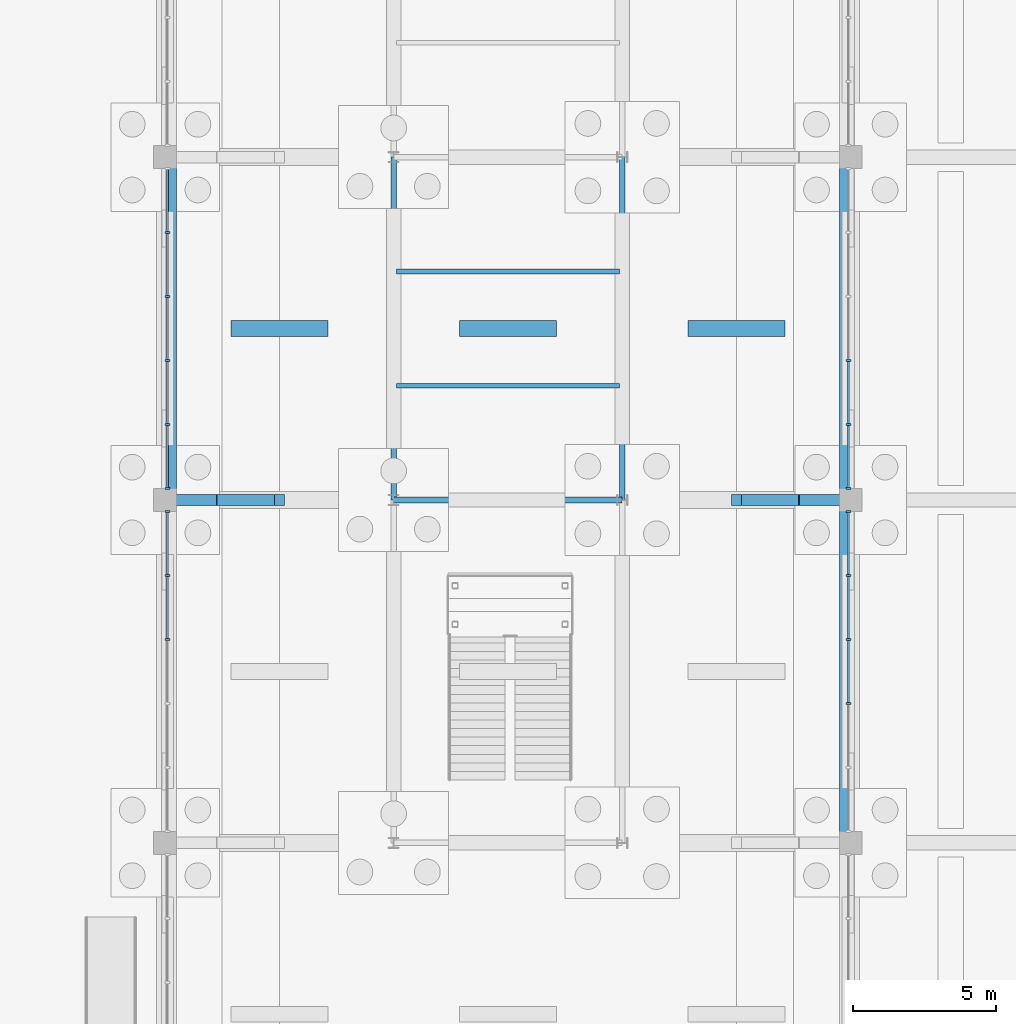
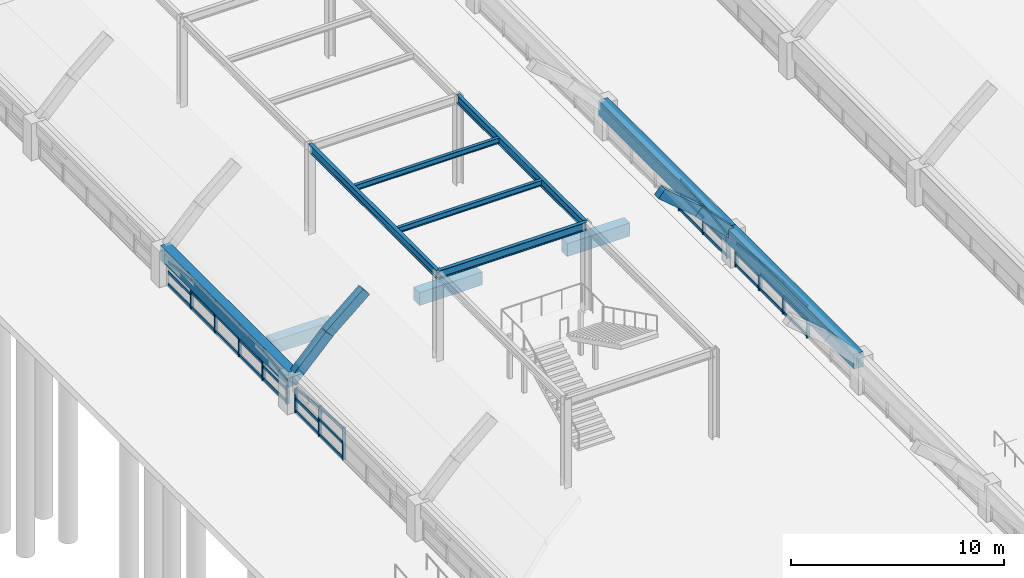
# One storey, part 43 of 129: 51 members, 15 beams, 4 elements without a shape of their own.
"""IFC4 building model written with IfcOpenShell, lengths in metres."""

from ifc_helpers import new_model, si_unit, direction, frame, origin, origin_2d, place, context, subcontext, project, spatial, rectangle, i_section, extrude, material, layer, layer_set, material_profile, profile_set, type_object, element, aggregate, save


model = new_model("IFC4")

# Units and contexts
model_context = context("Model", 3, precision=1e-05, world=origin(), true_north=direction((0.0, 1.0)))
body_context = subcontext(model_context, "Body", "Model", "MODEL_VIEW")
ifc_project = project(units=[si_unit("LENGTHUNIT", "METRE"), si_unit("AREAUNIT", "SQUARE_METRE"), si_unit("VOLUMEUNIT", "CUBIC_METRE"), si_unit("PLANEANGLEUNIT", "RADIAN"), si_unit("MASSUNIT", "GRAM", prefix="KILO")], contexts=[model_context])

# Site, building, storey
site_placement = place(None, origin())
site = spatial("IfcSite", under=ifc_project, at=site_placement, CompositionType="ELEMENT")
building_placement = place(site_placement, origin())
building = spatial("IfcBuilding", under=site, at=building_placement, Name="Sitalva Quay Ferry Terminal", CompositionType="ELEMENT")
storey_placement = place(building_placement, origin())
storey = spatial("IfcBuildingStorey", under=building, at=storey_placement, Name="L01", CompositionType="ELEMENT", Elevation=0.0)

# Beams
ifc_material_1 = material(Name="Concrete C40/50", Category="concrete")
ifc_material_profile_1 = material_profile(ifc_material_1, rectangle(XDim=0.39990234375, YDim=0.550048828125, at=origin_2d()), Name="RC400x550")
ifc_profile_set_1 = profile_set([ifc_material_profile_1], Name="Concrete C40/50")
beam_type_1 = type_object("IfcBeamType", Name="Beam_Arch_RC400x550", PredefinedType="BEAM", material=ifc_profile_set_1)
beam_1_placement = place(storey_placement, frame((8.0, 42.0, 1.594482421875), z_axis=(0.693983482825, 0.0, 0.719990920475), x_axis=(0.0, 1.0, 0.0)))
element("IfcBeam", 1, at=beam_1_placement, inside=storey, type_object=beam_type_1, Name="Vault V2 transverse arch rib 4.1", PredefinedType="BEAM", context=body_context, shape_type="SweptSolid", body=[
    extrude(rectangle(XDim=0.39990234375, YDim=0.550048828125, at=origin_2d()), origin(), (0.0, 0.0, 1.0), 2.8818359375),
])
for number, where, z_axis, x_axis, name in (
    (2, (10.0, 42.0, 3.689697265625), (0.761351968138, 0.0, 0.648338785368), (0.0, 1.0, 0.0), "Vault V2 transverse arch rib 4.2"),
    (3, (28.0, 42.0, 5.392822265625), (0.761351968138, 0.0, -0.648338785368), (0.0, 1.0, 0.0), "Vault V2 transverse arch rib 4.11"),
):
    element("IfcBeam", number, at=place(storey_placement, frame(where, z_axis=z_axis, x_axis=x_axis)), inside=storey, type_object=beam_type_1, Name=name, PredefinedType="BEAM", context=body_context, shape_type="SweptSolid", body=[
        extrude(rectangle(XDim=0.39990234375, YDim=0.550048828125, at=origin_2d()), origin(), (0.0, 0.0, 1.0), 2.626953125),
    ])
beam_2_placement = place(storey_placement, frame((30.0, 42.0, 3.66943359375), z_axis=(0.693983482825, 0.0, -0.719990920475), x_axis=(0.0, 1.0, 0.0)))
element("IfcBeam", 4, at=beam_2_placement, inside=storey, type_object=beam_type_1, Name="Vault V2 transverse arch rib 4.12", PredefinedType="BEAM", context=body_context, shape_type="SweptSolid", body=[
    extrude(rectangle(XDim=0.39990234375, YDim=0.550048828125, at=origin_2d()), origin(), (0.0, 0.0, 1.0), 2.8818359375),
])
ifc_material_2 = material(Name="Concrete C40/50", Category="concrete")
ifc_material_profile_2 = material_profile(ifc_material_2, rectangle(XDim=0.5, YDim=0.85009765625, at=origin_2d()), Name="RC500x850")
ifc_profile_set_2 = profile_set([ifc_material_profile_2], Name="Concrete C40/50")
beam_type_2 = type_object("IfcBeamType", Name="Beam_Edge_RC500x850", PredefinedType="BEAM", material=ifc_profile_set_2)
for number, where, z_axis, x_axis, name in (
    (5, (8.14990234375, 42.0, 1.675048828125), (0.0, 1.0, 0.0), (-1.0, 0.0, 0.0), "Vault V2 longitudinal springing edge beam W bay 4"),
    (6, (31.85009765625, 30.0, 1.675048828125), (0.0, 1.0, 0.0), (-1.0, 0.0, 0.0), "Vault V2 longitudinal springing edge beam E bay 3"),
    (7, (31.85009765625, 42.0, 1.675048828125), (0.0, 1.0, 0.0), (-1.0, 0.0, 0.0), "Vault V2 longitudinal springing edge beam E bay 4"),
):
    element("IfcBeam", number, at=place(storey_placement, frame(where, z_axis=z_axis, x_axis=x_axis)), inside=storey, type_object=beam_type_2, Name=name, PredefinedType="BEAM", context=body_context, shape_type="SweptSolid", body=[
        extrude(rectangle(XDim=0.5, YDim=0.85009765625, at=origin_2d()), origin(), (0.0, 0.0, 1.0), 12.0),
    ])
ifc_material_3 = material(Name="Structural Steel S355JR", Category="steel")
ifc_material_profile_3 = material_profile(ifc_material_3, i_section(OverallWidth=0.194091796875, OverallDepth=0.468994140625, WebThickness=0.0126953125, FlangeThickness=0.0205078125, FilletRadius=0.013916015625, at=origin_2d()), Name="W460x106")
ifc_profile_set_3 = profile_set([ifc_material_profile_3], Name="Structural Steel S355JR")
beam_type_3 = type_object("IfcBeamType", Name="Girder_W460x106", PredefinedType="USERDEFINED", material=ifc_profile_set_3)
beam_3_placement = place(storey_placement, frame((16.0, 42.0, 4.885498046875), z_axis=(1.0, 0.0, 0.0), x_axis=(0.0, 1.0, 0.0)))
element("IfcBeam", 8, at=beam_3_placement, inside=storey, type_object=beam_type_3, Name="L01 Primary X girder 0112", ObjectType="GIRDER", PredefinedType="USERDEFINED", context=body_context, shape_type="SweptSolid", body=[
    extrude(i_section(OverallWidth=0.194091796875, OverallDepth=0.468994140625, WebThickness=0.0126953125, FlangeThickness=0.0205078125, FilletRadius=0.013916015625, at=origin_2d()), origin(), (0.0, 0.0, 1.0), 8.0),
])
for number, where, z_axis, x_axis, name in (
    (9, (16.0, 42.0, 4.885498046875), (0.0, 1.0, 0.0), (-1.0, 0.0, 0.0), "L01 Primary Y girder 0117"),
    (10, (24.0, 42.0, 4.885498046875), (0.0, 1.0, 0.0), (-1.0, 0.0, 0.0), "L01 Primary Y girder 0121"),
):
    element("IfcBeam", number, at=place(storey_placement, frame(where, z_axis=z_axis, x_axis=x_axis)), inside=storey, type_object=beam_type_3, Name=name, ObjectType="GIRDER", PredefinedType="USERDEFINED", context=body_context, shape_type="SweptSolid", body=[
        extrude(i_section(OverallWidth=0.194091796875, OverallDepth=0.468994140625, WebThickness=0.0126953125, FlangeThickness=0.0205078125, FilletRadius=0.013916015625, at=origin_2d()), origin(), (0.0, 0.0, 1.0), 12.0),
    ])
ifc_material_4 = material(Name="Structural Steel S355JR", Category="steel")
ifc_material_profile_4 = material_profile(ifc_material_4, i_section(OverallWidth=0.166015625, OverallDepth=0.31298828125, WebThickness=0.006591796875, FlangeThickness=0.01123046875, FilletRadius=0.010986328125, at=origin_2d()), Name="W310x45")
ifc_profile_set_4 = profile_set([ifc_material_profile_4], Name="Structural Steel S355JR")
beam_type_4 = type_object("IfcBeamType", Name="Joist_W310x45", PredefinedType="JOIST", material=ifc_profile_set_4)
for number, where, z_axis, x_axis, name in (
    (11, (16.096923828125, 46.0, 4.96337890625), (1.0, 0.0, 0.0), (0.0, 1.0, 0.0), "L01 Secondary joist 0124"),
    (12, (16.096923828125, 50.0, 4.96337890625), (1.0, 0.0, 0.0), (0.0, 1.0, 0.0), "L01 Secondary joist 0125"),
):
    element("IfcBeam", number, at=place(storey_placement, frame(where, z_axis=z_axis, x_axis=x_axis)), inside=storey, type_object=beam_type_4, Name=name, PredefinedType="JOIST", context=body_context, shape_type="SweptSolid", body=[
        extrude(i_section(OverallWidth=0.166015625, OverallDepth=0.31298828125, WebThickness=0.006591796875, FlangeThickness=0.01123046875, FilletRadius=0.010986328125, at=origin_2d()), origin(), (0.0, 0.0, 1.0), 7.80615234375),
    ])

# Curtain wall, members
ifc_material_5 = material(Name="Anodised Aluminium & Low-E Glazing", Category="aluminium")
ifc_layer = layer(ifc_material_5, 0.159912109375)
ifc_layer_set = layer_set([ifc_layer], Name="Anodised Aluminium & Low-E Glazing")
curtain_wall_type = type_object("IfcCurtainWallType", Name="CW_VaultArch_Glazed", PredefinedType="USERDEFINED", material=ifc_layer_set)
curtain_wall_1_placement = place(storey_placement, origin())
curtain_wall_1 = element("IfcCurtainWall", 13, at=curtain_wall_1_placement, inside=storey, type_object=curtain_wall_type, Name="V2-W shallow-arch base glazing (CW-L01-018)", ObjectType="CURTAIN_WALL", PredefinedType="USERDEFINED")
ifc_material_6 = material(Name="Anodised Aluminium 6063-T6", Category="aluminium")
ifc_material_profile_5 = material_profile(ifc_material_6, rectangle(XDim=0.070068359375, YDim=0.181884765625, at=origin_2d()), Name="ALU70x182")
ifc_profile_set_5 = profile_set([ifc_material_profile_5], Name="Anodised Aluminium 6063-T6")
member_type_1 = type_object("IfcMemberType", Name="Mullion_Alu_65x170", PredefinedType="MULLION", material=ifc_profile_set_5)
member_1_placement = place(storey_placement, frame((8.080078125, 37.1201171875, 0.0), z_axis=(0.0, 0.0, 1.0), x_axis=(0.0, 1.0, 0.0)))
member_1 = element("IfcMember", 14, at=member_1_placement, type_object=member_type_1, Name="CW-L01-018-M3", PredefinedType="MULLION", context=body_context, shape_type="SweptSolid", body=[
    extrude(rectangle(XDim=0.070068359375, YDim=0.181884765625, at=origin_2d()), origin(), (0.0, 0.0, 1.0), 1.86083984375),
])
member_2_placement = place(storey_placement, frame((8.080078125, 39.360107421875, 0.0), z_axis=(0.0, 0.0, 1.0), x_axis=(0.0, 1.0, 0.0)))
member_2 = element("IfcMember", 15, at=member_2_placement, type_object=member_type_1, Name="CW-L01-018-M4", PredefinedType="MULLION", context=body_context, shape_type="SweptSolid", body=[
    extrude(rectangle(XDim=0.070068359375, YDim=0.181884765625, at=origin_2d()), origin(), (0.0, 0.0, 1.0), 1.707275390625),
])
member_3_placement = place(storey_placement, frame((8.080078125, 41.60009765625, 0.0), z_axis=(0.0, 0.0, 1.0), x_axis=(0.0, 1.0, 0.0)))
member_3 = element("IfcMember", 16, at=member_3_placement, type_object=member_type_1, Name="CW-L01-018-M5", PredefinedType="MULLION", context=body_context, shape_type="SweptSolid", body=[
    extrude(rectangle(XDim=0.070068359375, YDim=0.181884765625, at=origin_2d()), origin(), (0.0, 0.0, 1.0), 1.39990234375),
])

curtain_wall_2_placement = place(storey_placement, origin())
curtain_wall_2 = element("IfcCurtainWall", 17, at=curtain_wall_2_placement, inside=storey, type_object=curtain_wall_type, Name="V2-E shallow-arch base glazing (CW-L01-019)", ObjectType="CURTAIN_WALL", PredefinedType="USERDEFINED")
member_4_placement = place(storey_placement, frame((31.919921875, 34.8798828125, 0.0), z_axis=(0.0, 0.0, 1.0), x_axis=(0.0, 1.0, 0.0)))
member_4 = element("IfcMember", 18, at=member_4_placement, type_object=member_type_1, Name="CW-L01-019-M2", PredefinedType="MULLION", context=body_context, shape_type="SweptSolid", body=[
    extrude(rectangle(XDim=0.070068359375, YDim=0.181884765625, at=origin_2d()), origin(), (0.0, 0.0, 1.0), 1.86083984375),
])
member_5_placement = place(storey_placement, frame((31.919921875, 37.1201171875, 0.0), z_axis=(0.0, 0.0, 1.0), x_axis=(0.0, 1.0, 0.0)))
member_5 = element("IfcMember", 19, at=member_5_placement, type_object=member_type_1, Name="CW-L01-019-M3", PredefinedType="MULLION", context=body_context, shape_type="SweptSolid", body=[
    extrude(rectangle(XDim=0.070068359375, YDim=0.181884765625, at=origin_2d()), origin(), (0.0, 0.0, 1.0), 1.86083984375),
])
member_6_placement = place(storey_placement, frame((31.919921875, 39.360107421875, 0.0), z_axis=(0.0, 0.0, 1.0), x_axis=(0.0, 1.0, 0.0)))
member_6 = element("IfcMember", 20, at=member_6_placement, type_object=member_type_1, Name="CW-L01-019-M4", PredefinedType="MULLION", context=body_context, shape_type="SweptSolid", body=[
    extrude(rectangle(XDim=0.070068359375, YDim=0.181884765625, at=origin_2d()), origin(), (0.0, 0.0, 1.0), 1.707275390625),
])
member_7_placement = place(storey_placement, frame((31.919921875, 41.60009765625, 0.0), z_axis=(0.0, 0.0, 1.0), x_axis=(0.0, 1.0, 0.0)))
member_7 = element("IfcMember", 21, at=member_7_placement, type_object=member_type_1, Name="CW-L01-019-M5", PredefinedType="MULLION", context=body_context, shape_type="SweptSolid", body=[
    extrude(rectangle(XDim=0.070068359375, YDim=0.181884765625, at=origin_2d()), origin(), (0.0, 0.0, 1.0), 1.39990234375),
])

curtain_wall_3_placement = place(storey_placement, origin())
curtain_wall_3 = element("IfcCurtainWall", 22, at=curtain_wall_3_placement, inside=storey, type_object=curtain_wall_type, Name="V2-W shallow-arch base glazing (CW-L01-021)", ObjectType="CURTAIN_WALL", PredefinedType="USERDEFINED")
member_8_placement = place(storey_placement, frame((8.080078125, 42.39990234375, 0.0), z_axis=(0.0, 0.0, 1.0), x_axis=(0.0, 1.0, 0.0)))
member_8 = element("IfcMember", 23, at=member_8_placement, type_object=member_type_1, Name="CW-L01-021-M0", PredefinedType="MULLION", context=body_context, shape_type="SweptSolid", body=[
    extrude(rectangle(XDim=0.070068359375, YDim=0.181884765625, at=origin_2d()), origin(), (0.0, 0.0, 1.0), 1.39990234375),
])
member_9_placement = place(storey_placement, frame((8.080078125, 44.639892578125, 0.0), z_axis=(0.0, 0.0, 1.0), x_axis=(0.0, 1.0, 0.0)))
member_9 = element("IfcMember", 24, at=member_9_placement, type_object=member_type_1, Name="CW-L01-021-M1", PredefinedType="MULLION", context=body_context, shape_type="SweptSolid", body=[
    extrude(rectangle(XDim=0.070068359375, YDim=0.181884765625, at=origin_2d()), origin(), (0.0, 0.0, 1.0), 1.707275390625),
])
member_10_placement = place(storey_placement, frame((8.080078125, 46.8798828125, 0.0), z_axis=(0.0, 0.0, 1.0), x_axis=(0.0, 1.0, 0.0)))
member_10 = element("IfcMember", 25, at=member_10_placement, type_object=member_type_1, Name="CW-L01-021-M2", PredefinedType="MULLION", context=body_context, shape_type="SweptSolid", body=[
    extrude(rectangle(XDim=0.070068359375, YDim=0.181884765625, at=origin_2d()), origin(), (0.0, 0.0, 1.0), 1.86083984375),
])
member_11_placement = place(storey_placement, frame((8.080078125, 49.1201171875, 0.0), z_axis=(0.0, 0.0, 1.0), x_axis=(0.0, 1.0, 0.0)))
member_11 = element("IfcMember", 26, at=member_11_placement, type_object=member_type_1, Name="CW-L01-021-M3", PredefinedType="MULLION", context=body_context, shape_type="SweptSolid", body=[
    extrude(rectangle(XDim=0.070068359375, YDim=0.181884765625, at=origin_2d()), origin(), (0.0, 0.0, 1.0), 1.86083984375),
])
member_12_placement = place(storey_placement, frame((8.080078125, 51.360107421875, 0.0), z_axis=(0.0, 0.0, 1.0), x_axis=(0.0, 1.0, 0.0)))
member_12 = element("IfcMember", 27, at=member_12_placement, type_object=member_type_1, Name="CW-L01-021-M4", PredefinedType="MULLION", context=body_context, shape_type="SweptSolid", body=[
    extrude(rectangle(XDim=0.070068359375, YDim=0.181884765625, at=origin_2d()), origin(), (0.0, 0.0, 1.0), 1.707275390625),
])

curtain_wall_4_placement = place(storey_placement, origin())
curtain_wall_4 = element("IfcCurtainWall", 28, at=curtain_wall_4_placement, inside=storey, type_object=curtain_wall_type, Name="V2-E shallow-arch base glazing (CW-L01-022)", ObjectType="CURTAIN_WALL", PredefinedType="USERDEFINED")
member_13_placement = place(storey_placement, frame((31.919921875, 42.39990234375, 0.0), z_axis=(0.0, 0.0, 1.0), x_axis=(0.0, 1.0, 0.0)))
member_13 = element("IfcMember", 29, at=member_13_placement, type_object=member_type_1, Name="CW-L01-022-M0", PredefinedType="MULLION", context=body_context, shape_type="SweptSolid", body=[
    extrude(rectangle(XDim=0.070068359375, YDim=0.181884765625, at=origin_2d()), origin(), (0.0, 0.0, 1.0), 1.39990234375),
])
member_14_placement = place(storey_placement, frame((31.919921875, 44.639892578125, 0.0), z_axis=(0.0, 0.0, 1.0), x_axis=(0.0, 1.0, 0.0)))
member_14 = element("IfcMember", 30, at=member_14_placement, type_object=member_type_1, Name="CW-L01-022-M1", PredefinedType="MULLION", context=body_context, shape_type="SweptSolid", body=[
    extrude(rectangle(XDim=0.070068359375, YDim=0.181884765625, at=origin_2d()), origin(), (0.0, 0.0, 1.0), 1.707275390625),
])
member_15_placement = place(storey_placement, frame((31.919921875, 46.8798828125, 0.0), z_axis=(0.0, 0.0, 1.0), x_axis=(0.0, 1.0, 0.0)))
member_15 = element("IfcMember", 31, at=member_15_placement, type_object=member_type_1, Name="CW-L01-022-M2", PredefinedType="MULLION", context=body_context, shape_type="SweptSolid", body=[
    extrude(rectangle(XDim=0.070068359375, YDim=0.181884765625, at=origin_2d()), origin(), (0.0, 0.0, 1.0), 1.86083984375),
])

# Beams
ifc_material_7 = material(Name="Concrete C35/45", Category="concrete")
ifc_material_profile_6 = material_profile(ifc_material_7, rectangle(XDim=0.550048828125, YDim=0.75, at=origin_2d()), Name="RC550x750")
ifc_profile_set_6 = profile_set([ifc_material_profile_6], Name="Concrete C35/45")
beam_type_5 = type_object("IfcBeamType", Name="TBeam_Quay_RC550x750", PredefinedType="T_BEAM", material=ifc_profile_set_6)
for number, where, z_axis, x_axis, name in (
    (32, (10.300048828125, 48.0, -0.824951171875), (1.0, 0.0, 0.0), (0.0, 1.0, 0.0), "L01 Quay deck mid-bay T-beam 0073"),
    (33, (18.300048828125, 48.0, -0.824951171875), (1.0, 0.0, 0.0), (0.0, 1.0, 0.0), "L01 Quay deck mid-bay T-beam 0074"),
    (34, (26.300048828125, 48.0, -0.824951171875), (1.0, 0.0, 0.0), (0.0, 1.0, 0.0), "L01 Quay deck mid-bay T-beam 0075"),
):
    element("IfcBeam", number, at=place(storey_placement, frame(where, z_axis=z_axis, x_axis=x_axis)), inside=storey, type_object=beam_type_5, Name=name, PredefinedType="T_BEAM", context=body_context, shape_type="SweptSolid", body=[
        extrude(rectangle(XDim=0.550048828125, YDim=0.75, at=origin_2d()), origin(), (0.0, 0.0, 1.0), 3.39990234375),
    ])

# Member
ifc_material_8 = material(Name="Anodised Aluminium 6063-T6", Category="aluminium")
ifc_material_profile_7 = material_profile(ifc_material_8, rectangle(XDim=0.074951171875, YDim=0.155029296875, at=origin_2d()), Name="ALU75x155")
ifc_profile_set_7 = profile_set([ifc_material_profile_7], Name="Anodised Aluminium 6063-T6")
member_type_2 = type_object("IfcMemberType", Name="Transom_Alu_70x135", PredefinedType="MULLION", material=ifc_profile_set_7)
member_16_placement = place(storey_placement, frame((8.080078125, 37.155029296875, 0.077392578125), z_axis=(0.0, 1.0, 0.0), x_axis=(-1.0, 0.0, 0.0)))
member_16 = element("IfcMember", 35, at=member_16_placement, type_object=member_type_2, Name="CW-L01-018-T3-0", ObjectType="TRANSOM", PredefinedType="USERDEFINED", context=body_context, shape_type="SweptSolid", body=[
    extrude(rectangle(XDim=0.074951171875, YDim=0.155029296875, at=origin_2d()), origin(), (0.0, 0.0, 1.0), 2.169921875),
])

member_17_placement = place(storey_placement, frame((8.080078125, 37.155029296875, 0.93115234375), z_axis=(0.0, 1.0, 0.0), x_axis=(-1.0, 0.0, 0.0)))
member_17 = element("IfcMember", 36, at=member_17_placement, type_object=member_type_2, Name="CW-L01-018-T3-1", ObjectType="TRANSOM", PredefinedType="USERDEFINED", context=body_context, shape_type="SweptSolid", body=[
    extrude(rectangle(XDim=0.074951171875, YDim=0.155029296875, at=origin_2d()), origin(), (0.0, 0.0, 1.0), 2.169921875),
])

member_18_placement = place(storey_placement, frame((8.080078125, 37.155029296875, 1.783203125), z_axis=(0.0, 0.997505200677, -0.070593021065), x_axis=(-1.0, 0.0, 0.0)))
member_18 = element("IfcMember", 37, at=member_18_placement, type_object=member_type_2, Name="CW-L01-018-T3-2", ObjectType="TRANSOM", PredefinedType="USERDEFINED", context=body_context, shape_type="SweptSolid", body=[
    extrude(rectangle(XDim=0.074951171875, YDim=0.155029296875, at=origin_2d()), origin(), (0.0, 0.0, 1.0), 2.17529296875),
])

member_19_placement = place(storey_placement, frame((8.080078125, 39.39501953125, 0.077392578125), z_axis=(0.0, 1.0, 0.0), x_axis=(-1.0, 0.0, 0.0)))
member_19 = element("IfcMember", 38, at=member_19_placement, type_object=member_type_2, Name="CW-L01-018-T4-0", ObjectType="TRANSOM", PredefinedType="USERDEFINED", context=body_context, shape_type="SweptSolid", body=[
    extrude(rectangle(XDim=0.074951171875, YDim=0.155029296875, at=origin_2d()), origin(), (0.0, 0.0, 1.0), 2.169921875),
])

member_20_placement = place(storey_placement, frame((8.080078125, 39.39501953125, 0.777587890625), z_axis=(0.0, 1.0, 0.0), x_axis=(-1.0, 0.0, 0.0)))
member_20 = element("IfcMember", 39, at=member_20_placement, type_object=member_type_2, Name="CW-L01-018-T4-1", ObjectType="TRANSOM", PredefinedType="USERDEFINED", context=body_context, shape_type="SweptSolid", body=[
    extrude(rectangle(XDim=0.074951171875, YDim=0.155029296875, at=origin_2d()), origin(), (0.0, 0.0, 1.0), 2.169921875),
])

member_21_placement = place(storey_placement, frame((8.080078125, 39.39501953125, 1.629638671875), z_axis=(0.0, 0.990131365095, -0.140142355681), x_axis=(-1.0, 0.0, 0.0)))
member_21 = element("IfcMember", 40, at=member_21_placement, type_object=member_type_2, Name="CW-L01-018-T4-2", ObjectType="TRANSOM", PredefinedType="USERDEFINED", context=body_context, shape_type="SweptSolid", body=[
    extrude(rectangle(XDim=0.074951171875, YDim=0.155029296875, at=origin_2d()), origin(), (0.0, 0.0, 1.0), 2.191650390625),
])

aggregate(curtain_wall_1, [member_1, member_2, member_3, member_16, member_17, member_18, member_19, member_20, member_21])

member_22_placement = place(storey_placement, frame((31.919921875, 34.9150390625, 0.077392578125), z_axis=(0.0, 1.0, 0.0), x_axis=(-1.0, 0.0, 0.0)))
member_22 = element("IfcMember", 41, at=member_22_placement, type_object=member_type_2, Name="CW-L01-019-T2-0", ObjectType="TRANSOM", PredefinedType="USERDEFINED", context=body_context, shape_type="SweptSolid", body=[
    extrude(rectangle(XDim=0.074951171875, YDim=0.155029296875, at=origin_2d()), origin(), (0.0, 0.0, 1.0), 2.169921875),
])

member_23_placement = place(storey_placement, frame((31.919921875, 34.9150390625, 1.0078125), z_axis=(0.0, 1.0, 0.0), x_axis=(-1.0, 0.0, 0.0)))
member_23 = element("IfcMember", 42, at=member_23_placement, type_object=member_type_2, Name="CW-L01-019-T2-1", ObjectType="TRANSOM", PredefinedType="USERDEFINED", context=body_context, shape_type="SweptSolid", body=[
    extrude(rectangle(XDim=0.074951171875, YDim=0.155029296875, at=origin_2d()), origin(), (0.0, 0.0, 1.0), 2.169921875),
])

member_24_placement = place(storey_placement, frame((31.919921875, 34.9150390625, 1.783203125), z_axis=(0.0, 1.0, 0.0), x_axis=(-1.0, 0.0, 0.0)))
member_24 = element("IfcMember", 43, at=member_24_placement, type_object=member_type_2, Name="CW-L01-019-T2-2", ObjectType="TRANSOM", PredefinedType="USERDEFINED", context=body_context, shape_type="SweptSolid", body=[
    extrude(rectangle(XDim=0.074951171875, YDim=0.155029296875, at=origin_2d()), origin(), (0.0, 0.0, 1.0), 2.169921875),
])

member_25_placement = place(storey_placement, frame((31.919921875, 37.155029296875, 0.077392578125), z_axis=(0.0, 1.0, 0.0), x_axis=(-1.0, 0.0, 0.0)))
member_25 = element("IfcMember", 44, at=member_25_placement, type_object=member_type_2, Name="CW-L01-019-T3-0", ObjectType="TRANSOM", PredefinedType="USERDEFINED", context=body_context, shape_type="SweptSolid", body=[
    extrude(rectangle(XDim=0.074951171875, YDim=0.155029296875, at=origin_2d()), origin(), (0.0, 0.0, 1.0), 2.169921875),
])

member_26_placement = place(storey_placement, frame((31.919921875, 37.155029296875, 0.93115234375), z_axis=(0.0, 1.0, 0.0), x_axis=(-1.0, 0.0, 0.0)))
member_26 = element("IfcMember", 45, at=member_26_placement, type_object=member_type_2, Name="CW-L01-019-T3-1", ObjectType="TRANSOM", PredefinedType="USERDEFINED", context=body_context, shape_type="SweptSolid", body=[
    extrude(rectangle(XDim=0.074951171875, YDim=0.155029296875, at=origin_2d()), origin(), (0.0, 0.0, 1.0), 2.169921875),
])

member_27_placement = place(storey_placement, frame((31.919921875, 37.155029296875, 1.783203125), z_axis=(0.0, 0.997505200677, -0.070593021065), x_axis=(-1.0, 0.0, 0.0)))
member_27 = element("IfcMember", 46, at=member_27_placement, type_object=member_type_2, Name="CW-L01-019-T3-2", ObjectType="TRANSOM", PredefinedType="USERDEFINED", context=body_context, shape_type="SweptSolid", body=[
    extrude(rectangle(XDim=0.074951171875, YDim=0.155029296875, at=origin_2d()), origin(), (0.0, 0.0, 1.0), 2.17529296875),
])

member_28_placement = place(storey_placement, frame((31.919921875, 39.39501953125, 0.077392578125), z_axis=(0.0, 1.0, 0.0), x_axis=(-1.0, 0.0, 0.0)))
member_28 = element("IfcMember", 47, at=member_28_placement, type_object=member_type_2, Name="CW-L01-019-T4-0", ObjectType="TRANSOM", PredefinedType="USERDEFINED", context=body_context, shape_type="SweptSolid", body=[
    extrude(rectangle(XDim=0.074951171875, YDim=0.155029296875, at=origin_2d()), origin(), (0.0, 0.0, 1.0), 2.169921875),
])

member_29_placement = place(storey_placement, frame((31.919921875, 39.39501953125, 0.777587890625), z_axis=(0.0, 1.0, 0.0), x_axis=(-1.0, 0.0, 0.0)))
member_29 = element("IfcMember", 48, at=member_29_placement, type_object=member_type_2, Name="CW-L01-019-T4-1", ObjectType="TRANSOM", PredefinedType="USERDEFINED", context=body_context, shape_type="SweptSolid", body=[
    extrude(rectangle(XDim=0.074951171875, YDim=0.155029296875, at=origin_2d()), origin(), (0.0, 0.0, 1.0), 2.169921875),
])

member_30_placement = place(storey_placement, frame((31.919921875, 39.39501953125, 1.629638671875), z_axis=(0.0, 0.990131365095, -0.140142355681), x_axis=(-1.0, 0.0, 0.0)))
member_30 = element("IfcMember", 49, at=member_30_placement, type_object=member_type_2, Name="CW-L01-019-T4-2", ObjectType="TRANSOM", PredefinedType="USERDEFINED", context=body_context, shape_type="SweptSolid", body=[
    extrude(rectangle(XDim=0.074951171875, YDim=0.155029296875, at=origin_2d()), origin(), (0.0, 0.0, 1.0), 2.191650390625),
])

aggregate(curtain_wall_2, [member_4, member_5, member_6, member_7, member_22, member_23, member_24, member_25, member_26, member_27, member_28, member_29, member_30])

member_31_placement = place(storey_placement, frame((8.080078125, 42.43505859375, 0.077392578125), z_axis=(0.0, 1.0, 0.0), x_axis=(-1.0, 0.0, 0.0)))
member_31 = element("IfcMember", 50, at=member_31_placement, type_object=member_type_2, Name="CW-L01-021-T0-0", ObjectType="TRANSOM", PredefinedType="USERDEFINED", context=body_context, shape_type="SweptSolid", body=[
    extrude(rectangle(XDim=0.074951171875, YDim=0.155029296875, at=origin_2d()), origin(), (0.0, 0.0, 1.0), 2.169921875),
])

member_32_placement = place(storey_placement, frame((8.080078125, 42.43505859375, 0.777587890625), z_axis=(0.0, 1.0, 0.0), x_axis=(-1.0, 0.0, 0.0)))
member_32 = element("IfcMember", 51, at=member_32_placement, type_object=member_type_2, Name="CW-L01-021-T0-1", ObjectType="TRANSOM", PredefinedType="USERDEFINED", context=body_context, shape_type="SweptSolid", body=[
    extrude(rectangle(XDim=0.074951171875, YDim=0.155029296875, at=origin_2d()), origin(), (0.0, 0.0, 1.0), 2.169921875),
])

member_33_placement = place(storey_placement, frame((8.080078125, 42.43505859375, 1.322509765625), z_axis=(0.0, 0.990131365095, 0.140142355681), x_axis=(-1.0, 0.0, 0.0)))
member_33 = element("IfcMember", 52, at=member_33_placement, type_object=member_type_2, Name="CW-L01-021-T0-2", ObjectType="TRANSOM", PredefinedType="USERDEFINED", context=body_context, shape_type="SweptSolid", body=[
    extrude(rectangle(XDim=0.074951171875, YDim=0.155029296875, at=origin_2d()), origin(), (0.0, 0.0, 1.0), 2.191650390625),
])

member_34_placement = place(storey_placement, frame((8.080078125, 44.675048828125, 0.077392578125), z_axis=(0.0, 1.0, 0.0), x_axis=(-1.0, 0.0, 0.0)))
member_34 = element("IfcMember", 53, at=member_34_placement, type_object=member_type_2, Name="CW-L01-021-T1-0", ObjectType="TRANSOM", PredefinedType="USERDEFINED", context=body_context, shape_type="SweptSolid", body=[
    extrude(rectangle(XDim=0.074951171875, YDim=0.155029296875, at=origin_2d()), origin(), (0.0, 0.0, 1.0), 2.169921875),
])

member_35_placement = place(storey_placement, frame((8.080078125, 44.675048828125, 0.93115234375), z_axis=(0.0, 1.0, 0.0), x_axis=(-1.0, 0.0, 0.0)))
member_35 = element("IfcMember", 54, at=member_35_placement, type_object=member_type_2, Name="CW-L01-021-T1-1", ObjectType="TRANSOM", PredefinedType="USERDEFINED", context=body_context, shape_type="SweptSolid", body=[
    extrude(rectangle(XDim=0.074951171875, YDim=0.155029296875, at=origin_2d()), origin(), (0.0, 0.0, 1.0), 2.169921875),
])

member_36_placement = place(storey_placement, frame((8.080078125, 44.675048828125, 1.629638671875), z_axis=(0.0, 0.997505200677, 0.070593021065), x_axis=(-1.0, 0.0, 0.0)))
member_36 = element("IfcMember", 55, at=member_36_placement, type_object=member_type_2, Name="CW-L01-021-T1-2", ObjectType="TRANSOM", PredefinedType="USERDEFINED", context=body_context, shape_type="SweptSolid", body=[
    extrude(rectangle(XDim=0.074951171875, YDim=0.155029296875, at=origin_2d()), origin(), (0.0, 0.0, 1.0), 2.17529296875),
])

member_37_placement = place(storey_placement, frame((8.080078125, 46.9150390625, 0.077392578125), z_axis=(0.0, 1.0, 0.0), x_axis=(-1.0, 0.0, 0.0)))
member_37 = element("IfcMember", 56, at=member_37_placement, type_object=member_type_2, Name="CW-L01-021-T2-0", ObjectType="TRANSOM", PredefinedType="USERDEFINED", context=body_context, shape_type="SweptSolid", body=[
    extrude(rectangle(XDim=0.074951171875, YDim=0.155029296875, at=origin_2d()), origin(), (0.0, 0.0, 1.0), 2.169921875),
])

member_38_placement = place(storey_placement, frame((8.080078125, 46.9150390625, 1.0078125), z_axis=(0.0, 1.0, 0.0), x_axis=(-1.0, 0.0, 0.0)))
member_38 = element("IfcMember", 57, at=member_38_placement, type_object=member_type_2, Name="CW-L01-021-T2-1", ObjectType="TRANSOM", PredefinedType="USERDEFINED", context=body_context, shape_type="SweptSolid", body=[
    extrude(rectangle(XDim=0.074951171875, YDim=0.155029296875, at=origin_2d()), origin(), (0.0, 0.0, 1.0), 2.169921875),
])

member_39_placement = place(storey_placement, frame((8.080078125, 46.9150390625, 1.783203125), z_axis=(0.0, 1.0, 0.0), x_axis=(-1.0, 0.0, 0.0)))
member_39 = element("IfcMember", 58, at=member_39_placement, type_object=member_type_2, Name="CW-L01-021-T2-2", ObjectType="TRANSOM", PredefinedType="USERDEFINED", context=body_context, shape_type="SweptSolid", body=[
    extrude(rectangle(XDim=0.074951171875, YDim=0.155029296875, at=origin_2d()), origin(), (0.0, 0.0, 1.0), 2.169921875),
])

member_40_placement = place(storey_placement, frame((8.080078125, 49.155029296875, 0.077392578125), z_axis=(0.0, 1.0, 0.0), x_axis=(-1.0, 0.0, 0.0)))
member_40 = element("IfcMember", 59, at=member_40_placement, type_object=member_type_2, Name="CW-L01-021-T3-0", ObjectType="TRANSOM", PredefinedType="USERDEFINED", context=body_context, shape_type="SweptSolid", body=[
    extrude(rectangle(XDim=0.074951171875, YDim=0.155029296875, at=origin_2d()), origin(), (0.0, 0.0, 1.0), 2.169921875),
])

member_41_placement = place(storey_placement, frame((8.080078125, 49.155029296875, 0.93115234375), z_axis=(0.0, 1.0, 0.0), x_axis=(-1.0, 0.0, 0.0)))
member_41 = element("IfcMember", 60, at=member_41_placement, type_object=member_type_2, Name="CW-L01-021-T3-1", ObjectType="TRANSOM", PredefinedType="USERDEFINED", context=body_context, shape_type="SweptSolid", body=[
    extrude(rectangle(XDim=0.074951171875, YDim=0.155029296875, at=origin_2d()), origin(), (0.0, 0.0, 1.0), 2.169921875),
])

member_42_placement = place(storey_placement, frame((8.080078125, 49.155029296875, 1.783203125), z_axis=(0.0, 0.997505200677, -0.070593021065), x_axis=(-1.0, 0.0, 0.0)))
member_42 = element("IfcMember", 61, at=member_42_placement, type_object=member_type_2, Name="CW-L01-021-T3-2", ObjectType="TRANSOM", PredefinedType="USERDEFINED", context=body_context, shape_type="SweptSolid", body=[
    extrude(rectangle(XDim=0.074951171875, YDim=0.155029296875, at=origin_2d()), origin(), (0.0, 0.0, 1.0), 2.17529296875),
])

member_43_placement = place(storey_placement, frame((8.080078125, 51.39501953125, 0.077392578125), z_axis=(0.0, 1.0, 0.0), x_axis=(-1.0, 0.0, 0.0)))
member_43 = element("IfcMember", 62, at=member_43_placement, type_object=member_type_2, Name="CW-L01-021-T4-0", ObjectType="TRANSOM", PredefinedType="USERDEFINED", context=body_context, shape_type="SweptSolid", body=[
    extrude(rectangle(XDim=0.074951171875, YDim=0.155029296875, at=origin_2d()), origin(), (0.0, 0.0, 1.0), 2.169921875),
])

member_44_placement = place(storey_placement, frame((8.080078125, 51.39501953125, 0.777587890625), z_axis=(0.0, 1.0, 0.0), x_axis=(-1.0, 0.0, 0.0)))
member_44 = element("IfcMember", 63, at=member_44_placement, type_object=member_type_2, Name="CW-L01-021-T4-1", ObjectType="TRANSOM", PredefinedType="USERDEFINED", context=body_context, shape_type="SweptSolid", body=[
    extrude(rectangle(XDim=0.074951171875, YDim=0.155029296875, at=origin_2d()), origin(), (0.0, 0.0, 1.0), 2.169921875),
])

member_45_placement = place(storey_placement, frame((8.080078125, 51.39501953125, 1.629638671875), z_axis=(0.0, 0.990131365095, -0.140142355681), x_axis=(-1.0, 0.0, 0.0)))
member_45 = element("IfcMember", 64, at=member_45_placement, type_object=member_type_2, Name="CW-L01-021-T4-2", ObjectType="TRANSOM", PredefinedType="USERDEFINED", context=body_context, shape_type="SweptSolid", body=[
    extrude(rectangle(XDim=0.074951171875, YDim=0.155029296875, at=origin_2d()), origin(), (0.0, 0.0, 1.0), 2.191650390625),
])

aggregate(curtain_wall_3, [member_8, member_9, member_10, member_11, member_12, member_31, member_32, member_33, member_34, member_35, member_36, member_37, member_38, member_39, member_40, member_41, member_42, member_43, member_44, member_45])

member_46_placement = place(storey_placement, frame((31.919921875, 42.43505859375, 0.077392578125), z_axis=(0.0, 1.0, 0.0), x_axis=(-1.0, 0.0, 0.0)))
member_46 = element("IfcMember", 65, at=member_46_placement, type_object=member_type_2, Name="CW-L01-022-T0-0", ObjectType="TRANSOM", PredefinedType="USERDEFINED", context=body_context, shape_type="SweptSolid", body=[
    extrude(rectangle(XDim=0.074951171875, YDim=0.155029296875, at=origin_2d()), origin(), (0.0, 0.0, 1.0), 2.169921875),
])

member_47_placement = place(storey_placement, frame((31.919921875, 42.43505859375, 0.777587890625), z_axis=(0.0, 1.0, 0.0), x_axis=(-1.0, 0.0, 0.0)))
member_47 = element("IfcMember", 66, at=member_47_placement, type_object=member_type_2, Name="CW-L01-022-T0-1", ObjectType="TRANSOM", PredefinedType="USERDEFINED", context=body_context, shape_type="SweptSolid", body=[
    extrude(rectangle(XDim=0.074951171875, YDim=0.155029296875, at=origin_2d()), origin(), (0.0, 0.0, 1.0), 2.169921875),
])

member_48_placement = place(storey_placement, frame((31.919921875, 42.43505859375, 1.322509765625), z_axis=(0.0, 0.990131365095, 0.140142355681), x_axis=(-1.0, 0.0, 0.0)))
member_48 = element("IfcMember", 67, at=member_48_placement, type_object=member_type_2, Name="CW-L01-022-T0-2", ObjectType="TRANSOM", PredefinedType="USERDEFINED", context=body_context, shape_type="SweptSolid", body=[
    extrude(rectangle(XDim=0.074951171875, YDim=0.155029296875, at=origin_2d()), origin(), (0.0, 0.0, 1.0), 2.191650390625),
])

member_49_placement = place(storey_placement, frame((31.919921875, 44.675048828125, 0.077392578125), z_axis=(0.0, 1.0, 0.0), x_axis=(-1.0, 0.0, 0.0)))
member_49 = element("IfcMember", 68, at=member_49_placement, type_object=member_type_2, Name="CW-L01-022-T1-0", ObjectType="TRANSOM", PredefinedType="USERDEFINED", context=body_context, shape_type="SweptSolid", body=[
    extrude(rectangle(XDim=0.074951171875, YDim=0.155029296875, at=origin_2d()), origin(), (0.0, 0.0, 1.0), 2.169921875),
])

member_50_placement = place(storey_placement, frame((31.919921875, 44.675048828125, 0.93115234375), z_axis=(0.0, 1.0, 0.0), x_axis=(-1.0, 0.0, 0.0)))
member_50 = element("IfcMember", 69, at=member_50_placement, type_object=member_type_2, Name="CW-L01-022-T1-1", ObjectType="TRANSOM", PredefinedType="USERDEFINED", context=body_context, shape_type="SweptSolid", body=[
    extrude(rectangle(XDim=0.074951171875, YDim=0.155029296875, at=origin_2d()), origin(), (0.0, 0.0, 1.0), 2.169921875),
])

member_51_placement = place(storey_placement, frame((31.919921875, 44.675048828125, 1.629638671875), z_axis=(0.0, 0.997505200677, 0.070593021065), x_axis=(-1.0, 0.0, 0.0)))
member_51 = element("IfcMember", 70, at=member_51_placement, type_object=member_type_2, Name="CW-L01-022-T1-2", ObjectType="TRANSOM", PredefinedType="USERDEFINED", context=body_context, shape_type="SweptSolid", body=[
    extrude(rectangle(XDim=0.074951171875, YDim=0.155029296875, at=origin_2d()), origin(), (0.0, 0.0, 1.0), 2.17529296875),
])

aggregate(curtain_wall_4, [member_13, member_14, member_15, member_46, member_47, member_48, member_49, member_50, member_51])

save(model, "model.ifc")
